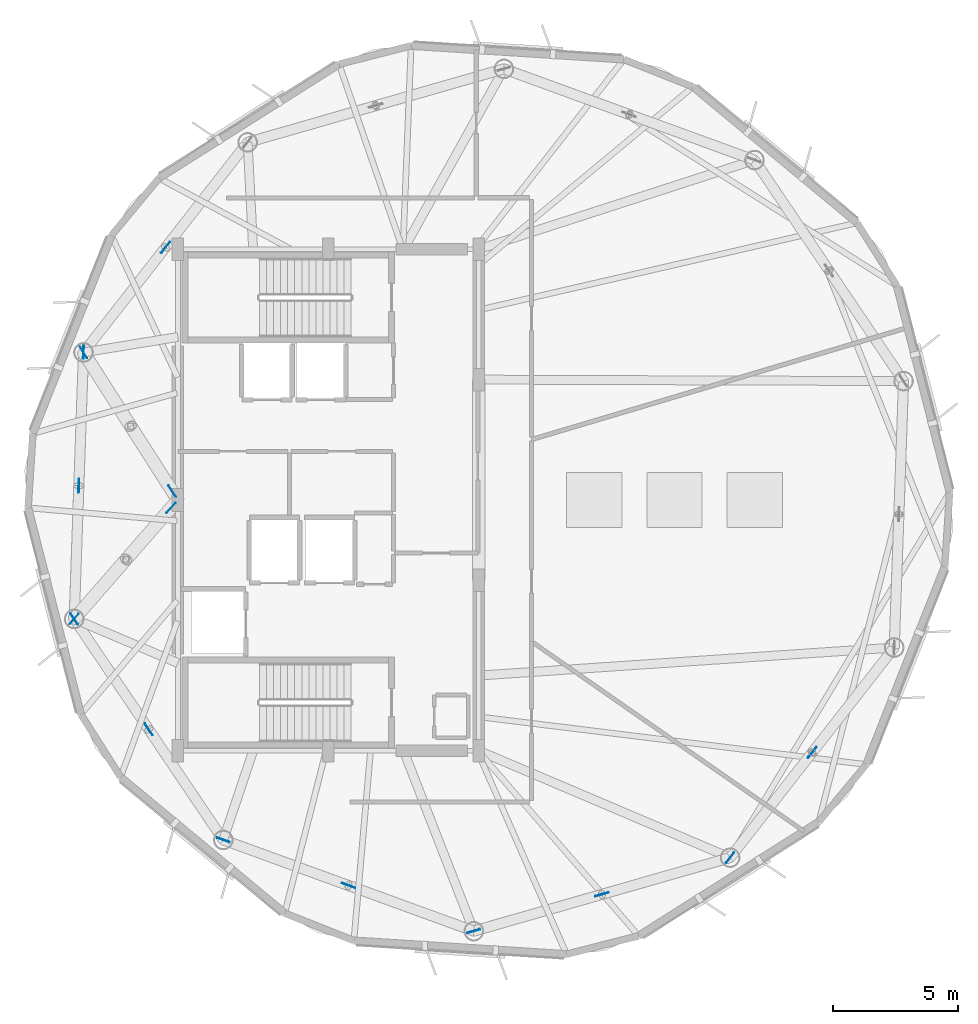
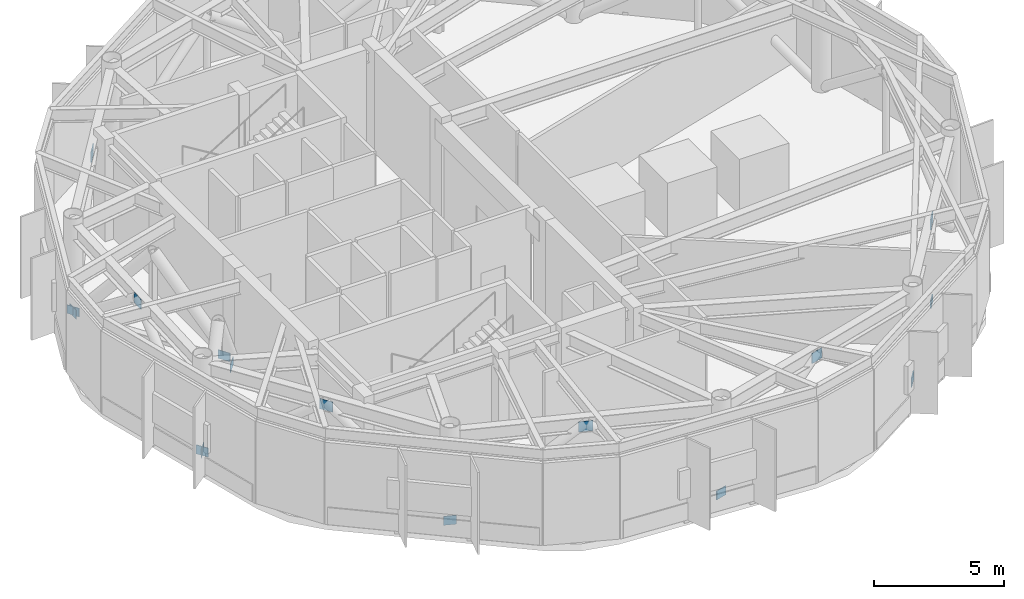
# One storey, part 7 of 14: 16 plates.
"""IFC4 building model written with IfcOpenShell, lengths in metres."""

from ifc_helpers import new_model, si_unit, direction, frame, origin, origin_2d, place, context, subcontext, project, spatial, rectangle, extrude, material, layer, layer_set, type_object, element, save


model = new_model("IFC4")

# Units and contexts
model_context = context("Model", 3, precision=1e-05, world=origin(), true_north=direction((0.0, 1.0)))
body_context = subcontext(model_context, "Body", "Model", "MODEL_VIEW")
ifc_project = project(units=[si_unit("LENGTHUNIT", "METRE"), si_unit("AREAUNIT", "SQUARE_METRE"), si_unit("VOLUMEUNIT", "CUBIC_METRE"), si_unit("PLANEANGLEUNIT", "RADIAN"), si_unit("MASSUNIT", "GRAM", prefix="KILO")], contexts=[model_context])

# Site, building, storey
site_placement = place(None, origin())
site = spatial("IfcSite", under=ifc_project, at=site_placement, CompositionType="ELEMENT")
building_placement = place(site_placement, origin())
building = spatial("IfcBuilding", under=site, at=building_placement, Name="Soratama Intermodal Tower", CompositionType="ELEMENT")
storey_placement = place(building_placement, frame((0.0, 0.0, 283.75)))
storey = spatial("IfcBuildingStorey", under=building, at=storey_placement, Name="L72", CompositionType="ELEMENT", Elevation=283.75)

# Plates
ifc_material_1 = material(Name="Structural steel ASTM A992 Grade 50", Category="steel")
ifc_layer_1 = layer(ifc_material_1, 0.02392578125)
ifc_layer_set_1 = layer_set([ifc_layer_1], Name="Structural steel ASTM A992 Grade 50")
plate_type_1 = type_object("IfcPlateType", Name="PL-GUSSET-24", PredefinedType="USERDEFINED", material=ifc_layer_set_1)
for number, where, z_axis, x_axis, name in (
    (1, (28.46630859375, 20.259033203125, 0.02001953125), (0.0, 0.0, 1.0), (-0.657243714159, -0.753678114448, 0.0), "L72 Outrigger Outer Gusset 06"),
    (2, (32.323974609375, 24.68359375, 0.02001953125), (0.0, 0.0, 1.0), (-0.657243714159, -0.753678114448, 0.0), "L72 Outrigger Core Gusset 06"),
    (3, (28.83740234375, 30.8828125, 0.02001953125), (0.0, 0.0, 1.0), (-0.538770785007, 0.842452397007, 0.0), "L72 Outrigger Outer Gusset 05"),
    (4, (32.373779296875, 25.353759765625, 0.02001953125), (0.0, 0.0, 1.0), (-0.538770785007, 0.842452397007, 0.0), "L72 Outrigger Core Gusset 05"),
):
    element("IfcPlate", number, at=place(storey_placement, frame(where, z_axis=z_axis, x_axis=x_axis)), inside=storey, type_object=plate_type_1, Name=name, ObjectType="GUSSET PLATE", PredefinedType="USERDEFINED", context=body_context, shape_type="SweptSolid", body=[
        extrude(rectangle(XDim=0.5400390625, YDim=0.02392578125, at=origin_2d()), origin(), (0.0, 0.0, 1.0), 0.39990234375),
    ])
ifc_material_2 = material(Name="Structural steel ASTM A992 Grade 50", Category="steel")
ifc_layer_2 = layer(ifc_material_2, 0.030029296875)
ifc_layer_set_2 = layer_set([ifc_layer_2], Name="Structural steel ASTM A992 Grade 50")
plate_type_2 = type_object("IfcPlateType", Name="PL-GUSSET-30", PredefinedType="USERDEFINED", material=ifc_layer_set_2)
for number, where, z_axis, x_axis, name in (
    (5, (32.109619140625, 35.071044921875, 3.732421875), (0.0, 0.0, 1.0), (-0.615661475326, -0.788010753607, 0.0), "L72 Belt Truss Apex Gusset 04"),
    (6, (28.65185546875, 25.57080078125, 3.732421875), (0.0, 0.0, 1.0), (-0.034899496703, -0.999390827019, 0.0), "L72 Belt Truss Apex Gusset 05"),
):
    element("IfcPlate", number, at=place(storey_placement, frame(where, z_axis=z_axis, x_axis=x_axis)), inside=storey, type_object=plate_type_2, Name=name, ObjectType="GUSSET PLATE", PredefinedType="USERDEFINED", context=body_context, shape_type="SweptSolid", body=[
        extrude(rectangle(XDim=0.56005859375, YDim=0.030029296875, at=origin_2d()), origin(), (0.0, 0.0, 1.0), 0.47998046875),
    ])
plate_1_placement = place(storey_placement, frame((28.83740234375, 30.8828125, -0.02001953125), z_axis=(0.0, 0.0, 1.0), x_axis=(-0.034899496703, -0.999390827019, 0.0)))
element("IfcPlate", 7, at=plate_1_placement, inside=storey, type_object=plate_type_2, Name="L72 Belt Truss Foot Gusset 05", ObjectType="GUSSET PLATE", PredefinedType="USERDEFINED", context=body_context, shape_type="SweptSolid", body=[
    extrude(rectangle(XDim=0.52001953125, YDim=0.030029296875, at=origin_2d()), origin(), (0.0, 0.0, 1.0), 0.419921875),
])
plate_2_placement = place(storey_placement, frame((31.4384765625, 15.8525390625, 3.732421875), z_axis=(0.0, 0.0, 1.0), x_axis=(0.559192903471, -0.829037572555, 0.0)))
element("IfcPlate", 8, at=plate_2_placement, inside=storey, type_object=plate_type_2, Name="L72 Belt Truss Apex Gusset 06", ObjectType="GUSSET PLATE", PredefinedType="USERDEFINED", context=body_context, shape_type="SweptSolid", body=[
    extrude(rectangle(XDim=0.56005859375, YDim=0.030029296875, at=origin_2d()), origin(), (0.0, 0.0, 1.0), 0.47998046875),
])
plate_3_placement = place(storey_placement, frame((28.46630859375, 20.259033203125, -0.02001953125), z_axis=(0.0, 0.0, 1.0), x_axis=(0.559192903471, -0.829037572555, 0.0)))
element("IfcPlate", 9, at=plate_3_placement, inside=storey, type_object=plate_type_2, Name="L72 Belt Truss Foot Gusset 06", ObjectType="GUSSET PLATE", PredefinedType="USERDEFINED", context=body_context, shape_type="SweptSolid", body=[
    extrude(rectangle(XDim=0.52001953125, YDim=0.030029296875, at=origin_2d()), origin(), (0.0, 0.0, 1.0), 0.419921875),
])
plate_4_placement = place(storey_placement, frame((39.4052734375, 9.62841796875, 3.732421875), z_axis=(0.0, 0.0, 1.0), x_axis=(0.939692620786, -0.342020143326, 0.0)))
element("IfcPlate", 10, at=plate_4_placement, inside=storey, type_object=plate_type_2, Name="L72 Belt Truss Apex Gusset 07", ObjectType="GUSSET PLATE", PredefinedType="USERDEFINED", context=body_context, shape_type="SweptSolid", body=[
    extrude(rectangle(XDim=0.56005859375, YDim=0.030029296875, at=origin_2d()), origin(), (0.0, 0.0, 1.0), 0.47998046875),
])
plate_5_placement = place(storey_placement, frame((34.41064453125, 11.4462890625, -0.02001953125), z_axis=(0.0, 0.0, 1.0), x_axis=(0.939692620786, -0.342020143326, 0.0)))
element("IfcPlate", 11, at=plate_5_placement, inside=storey, type_object=plate_type_2, Name="L72 Belt Truss Foot Gusset 07", ObjectType="GUSSET PLATE", PredefinedType="USERDEFINED", context=body_context, shape_type="SweptSolid", body=[
    extrude(rectangle(XDim=0.52001953125, YDim=0.030029296875, at=origin_2d()), origin(), (0.0, 0.0, 1.0), 0.419921875),
])
plate_6_placement = place(storey_placement, frame((49.5087890625, 9.275634765625, 3.732421875), z_axis=(0.0, 0.0, 1.0), x_axis=(0.961261695938, 0.275637355817, 0.0)))
element("IfcPlate", 12, at=plate_6_placement, inside=storey, type_object=plate_type_2, Name="L72 Belt Truss Apex Gusset 08", ObjectType="GUSSET PLATE", PredefinedType="USERDEFINED", context=body_context, shape_type="SweptSolid", body=[
    extrude(rectangle(XDim=0.56005859375, YDim=0.030029296875, at=origin_2d()), origin(), (0.0, 0.0, 1.0), 0.47998046875),
])
plate_7_placement = place(storey_placement, frame((44.399658203125, 7.810546875, -0.02001953125), z_axis=(0.0, 0.0, 1.0), x_axis=(0.961261695938, 0.275637355817, 0.0)))
element("IfcPlate", 13, at=plate_7_placement, inside=storey, type_object=plate_type_2, Name="L72 Belt Truss Foot Gusset 08", ObjectType="GUSSET PLATE", PredefinedType="USERDEFINED", context=body_context, shape_type="SweptSolid", body=[
    extrude(rectangle(XDim=0.52001953125, YDim=0.030029296875, at=origin_2d()), origin(), (0.0, 0.0, 1.0), 0.419921875),
])
plate_8_placement = place(storey_placement, frame((57.890380859375, 14.928955078125, 3.732421875), z_axis=(0.0, 0.0, 1.0), x_axis=(0.615661475326, 0.788010753607, 0.0)))
element("IfcPlate", 14, at=plate_8_placement, inside=storey, type_object=plate_type_2, Name="L72 Belt Truss Apex Gusset 09", ObjectType="GUSSET PLATE", PredefinedType="USERDEFINED", context=body_context, shape_type="SweptSolid", body=[
    extrude(rectangle(XDim=0.56005859375, YDim=0.030029296875, at=origin_2d()), origin(), (0.0, 0.0, 1.0), 0.47998046875),
])
plate_9_placement = place(storey_placement, frame((54.6181640625, 10.740478515625, -0.02001953125), z_axis=(0.0, 0.0, 1.0), x_axis=(0.615661475326, 0.788010753607, 0.0)))
element("IfcPlate", 15, at=plate_9_placement, inside=storey, type_object=plate_type_2, Name="L72 Belt Truss Foot Gusset 09", ObjectType="GUSSET PLATE", PredefinedType="USERDEFINED", context=body_context, shape_type="SweptSolid", body=[
    extrude(rectangle(XDim=0.52001953125, YDim=0.030029296875, at=origin_2d()), origin(), (0.0, 0.0, 1.0), 0.419921875),
])
plate_10_placement = place(storey_placement, frame((57.890380859375, 14.928955078125, -0.01025390625), z_axis=(0.0, 0.0, 1.0), x_axis=(0.615661475326, 0.788010753607, 0.0)))
element("IfcPlate", 16, at=plate_10_placement, inside=storey, type_object=plate_type_2, Name="L72 Turbine Post Foot Plate 04", ObjectType="GUSSET PLATE", PredefinedType="USERDEFINED", context=body_context, shape_type="SweptSolid", body=[
    extrude(rectangle(XDim=0.43994140625, YDim=0.030029296875, at=origin_2d()), origin(), (0.0, 0.0, 1.0), 0.360107421875),
])

save(model, "model.ifc")
